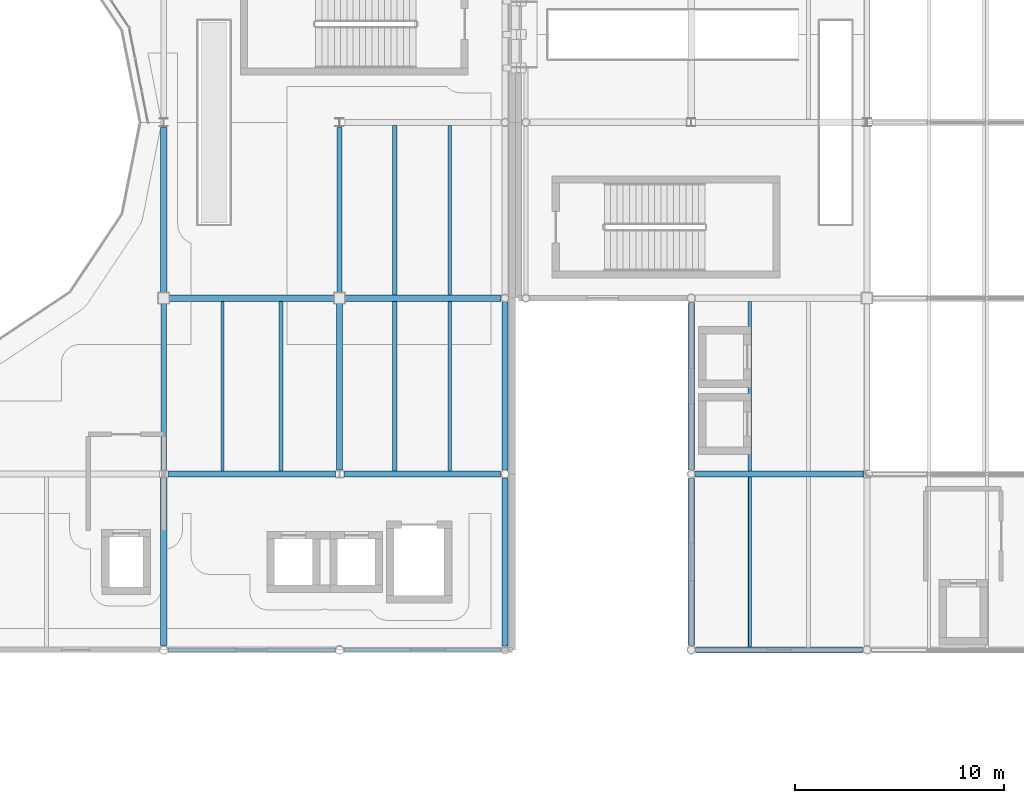
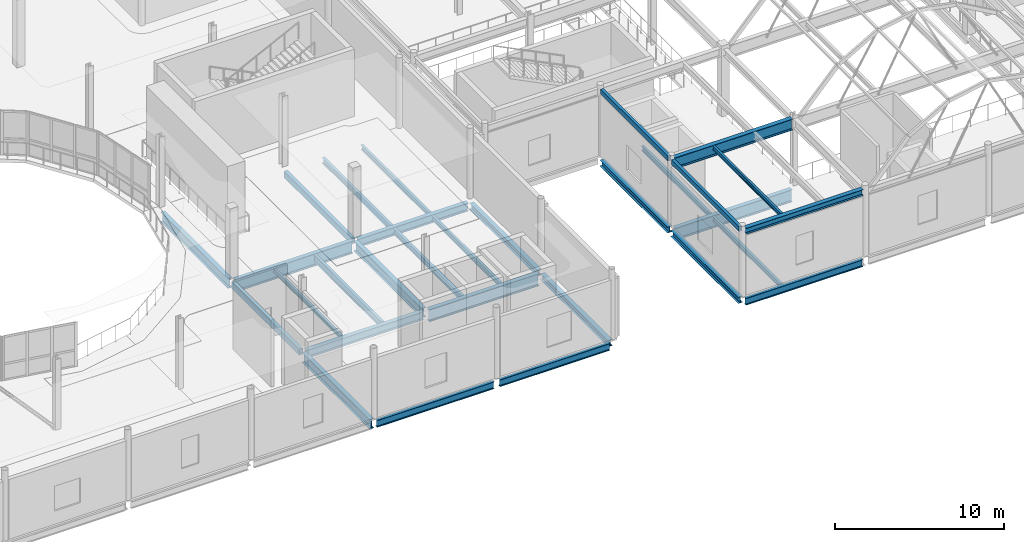
# One storey, part 19 of 103: 30 beams.
"""IFC4 building model written with IfcOpenShell, lengths in metres."""

from ifc_helpers import new_model, si_unit, direction, frame, origin, origin_2d, place, context, subcontext, project, spatial, hollow_rectangle, i_section, extrude, material, material_profile, profile_set, type_object, element, save


model = new_model("IFC4")

# Units and contexts
model_context = context("Model", 3, precision=1e-05, world=origin(), true_north=direction((0.0, 1.0)))
body_context = subcontext(model_context, "Body", "Model", "MODEL_VIEW")
ifc_project = project(units=[si_unit("LENGTHUNIT", "METRE"), si_unit("AREAUNIT", "SQUARE_METRE"), si_unit("VOLUMEUNIT", "CUBIC_METRE"), si_unit("PLANEANGLEUNIT", "RADIAN"), si_unit("MASSUNIT", "GRAM", prefix="KILO"), si_unit("THERMODYNAMICTEMPERATUREUNIT", "KELVIN")], contexts=[model_context])

# Site, building, storey
site_placement = place(None, origin())
site = spatial("IfcSite", under=ifc_project, at=site_placement, CompositionType="ELEMENT")
building_placement = place(site_placement, origin())
building = spatial("IfcBuilding", under=site, at=building_placement, Name="Lustrewick Department Store", CompositionType="ELEMENT")
storey_placement = place(building_placement, frame((0.0, 0.0, 16.5)))
storey = spatial("IfcBuildingStorey", under=building, at=storey_placement, Name="L04", CompositionType="ELEMENT", Elevation=16.5)

# Beams
ifc_material_1 = material(Name="Structural steel Q355B", Category="steel")
ifc_material_profile_1 = material_profile(ifc_material_1, i_section(OverallWidth=0.198974609375, OverallDepth=0.49609375, WebThickness=0.009033203125, FlangeThickness=0.013916015625, FilletRadius=0.01611328125, at=origin_2d()), Name="HN 496x199x9x14")
ifc_profile_set_1 = profile_set([ifc_material_profile_1], Name="Structural steel Q355B")
beam_type_1 = type_object("IfcBeamType", Name="B02", PredefinedType="JOIST", material=ifc_profile_set_1)
beam_1_placement = place(storey_placement, frame((47.60009765625, 50.550048828125, -0.5029296875), z_axis=(0.0, 1.0, 0.0), x_axis=(-1.0, 0.0, 0.0)))
element("IfcBeam", 1, at=beam_1_placement, inside=storey, type_object=beam_type_1, Name="L04 V1 Secondary Joist B02", PredefinedType="JOIST", context=body_context, shape_type="SweptSolid", body=[
    extrude(i_section(OverallWidth=0.198974609375, OverallDepth=0.49609375, WebThickness=0.009033203125, FlangeThickness=0.013916015625, FilletRadius=0.01611328125, at=origin_2d()), origin(), (0.0, 0.0, 1.0), 8.100341796875),
])
ifc_material_profile_2 = material_profile(ifc_material_1, i_section(OverallWidth=0.198974609375, OverallDepth=0.39599609375, WebThickness=0.007080078125, FlangeThickness=0.010986328125, FilletRadius=0.013916015625, at=origin_2d()), Name="HN 396x199x7x11")
ifc_profile_set_2 = profile_set([ifc_material_profile_2], Name="Structural steel Q355B")
beam_type_2 = type_object("IfcBeamType", Name="B06", PredefinedType="JOIST", material=ifc_profile_set_2)
beam_2_placement = place(storey_placement, frame((53.033203125, 50.549560546875, -0.452880859375), z_axis=(0.0, 1.0, 0.0), x_axis=(-1.0, 0.0, 0.0)))
element("IfcBeam", 2, at=beam_2_placement, inside=storey, type_object=beam_type_2, Name="L04 V1 Secondary Joist B06", PredefinedType="JOIST", context=body_context, shape_type="SweptSolid", body=[
    extrude(i_section(OverallWidth=0.198974609375, OverallDepth=0.39599609375, WebThickness=0.007080078125, FlangeThickness=0.010986328125, FilletRadius=0.013916015625, at=origin_2d()), origin(), (0.0, 0.0, 1.0), 8.100341796875),
])
beam_3_placement = place(storey_placement, frame((53.033203125, 58.949951171875, -0.452880859375), z_axis=(0.0, 1.0, 0.0), x_axis=(-1.0, 0.0, 0.0)))
element("IfcBeam", 3, at=beam_3_placement, inside=storey, type_object=beam_type_2, Name="L04 V1 Secondary Joist B06", PredefinedType="JOIST", context=body_context, shape_type="SweptSolid", body=[
    extrude(i_section(OverallWidth=0.198974609375, OverallDepth=0.39599609375, WebThickness=0.007080078125, FlangeThickness=0.010986328125, FilletRadius=0.013916015625, at=origin_2d()), origin(), (0.0, 0.0, 1.0), 8.1005859375),
])
ifc_material_profile_3 = material_profile(ifc_material_1, i_section(OverallWidth=0.174072265625, OverallDepth=0.345947265625, WebThickness=0.006103515625, FlangeThickness=0.009033203125, FilletRadius=0.012939453125, at=origin_2d()), Name="HN 346x174x6x9")
ifc_profile_set_3 = profile_set([ifc_material_profile_3], Name="Structural steel Q355B")
beam_type_3 = type_object("IfcBeamType", Name="B10", PredefinedType="JOIST", material=ifc_profile_set_3)
beam_4_placement = place(storey_placement, frame((55.666748046875, 50.549560546875, -0.427978515625), z_axis=(0.0, 1.0, 0.0), x_axis=(-1.0, 0.0, 0.0)))
element("IfcBeam", 4, at=beam_4_placement, inside=storey, type_object=beam_type_3, Name="L04 V1 Secondary Joist B10", PredefinedType="JOIST", context=body_context, shape_type="SweptSolid", body=[
    extrude(i_section(OverallWidth=0.174072265625, OverallDepth=0.345947265625, WebThickness=0.006103515625, FlangeThickness=0.009033203125, FilletRadius=0.012939453125, at=origin_2d()), origin(), (0.0, 0.0, 1.0), 8.100341796875),
])
beam_5_placement = place(storey_placement, frame((55.666748046875, 58.949951171875, -0.427978515625), z_axis=(0.0, 1.0, 0.0), x_axis=(-1.0, 0.0, 0.0)))
element("IfcBeam", 5, at=beam_5_placement, inside=storey, type_object=beam_type_3, Name="L04 V1 Secondary Joist B10", PredefinedType="JOIST", context=body_context, shape_type="SweptSolid", body=[
    extrude(i_section(OverallWidth=0.174072265625, OverallDepth=0.345947265625, WebThickness=0.006103515625, FlangeThickness=0.009033203125, FilletRadius=0.012939453125, at=origin_2d()), origin(), (0.0, 0.0, 1.0), 8.1005859375),
])
beam_6_placement = place(storey_placement, frame((70.0, 42.1005859375, -0.427978515625), z_axis=(0.0, 1.0, 0.0), x_axis=(-1.0, 0.0, 0.0)))
element("IfcBeam", 6, at=beam_6_placement, inside=storey, type_object=beam_type_3, Name="L04 V2 Secondary Joist B10", PredefinedType="JOIST", context=body_context, shape_type="SweptSolid", body=[
    extrude(i_section(OverallWidth=0.174072265625, OverallDepth=0.345947265625, WebThickness=0.006103515625, FlangeThickness=0.009033203125, FilletRadius=0.012939453125, at=origin_2d()), origin(), (0.0, 0.0, 1.0), 8.14990234375),
])
beam_7_placement = place(storey_placement, frame((70.0, 50.549560546875, -0.427978515625), z_axis=(0.0, 1.0, 0.0), x_axis=(-1.0, 0.0, 0.0)))
element("IfcBeam", 7, at=beam_7_placement, inside=storey, type_object=beam_type_3, Name="L04 V2 Secondary Joist B10", PredefinedType="JOIST", context=body_context, shape_type="SweptSolid", body=[
    extrude(i_section(OverallWidth=0.174072265625, OverallDepth=0.345947265625, WebThickness=0.006103515625, FlangeThickness=0.009033203125, FilletRadius=0.012939453125, at=origin_2d()), origin(), (0.0, 0.0, 1.0), 8.100341796875),
])
ifc_material_profile_4 = material_profile(ifc_material_1, i_section(OverallWidth=0.14990234375, OverallDepth=0.300048828125, WebThickness=0.006591796875, FlangeThickness=0.009033203125, FilletRadius=0.011962890625, at=origin_2d()), Name="HN 300x150x6.5x9")
ifc_profile_set_4 = profile_set([ifc_material_profile_4], Name="Structural steel Q355B")
beam_type_4 = type_object("IfcBeamType", Name="B11", PredefinedType="JOIST", material=ifc_profile_set_4)
beam_8_placement = place(storey_placement, frame((44.800048828125, 50.550048828125, -0.405029296875), z_axis=(0.0, 1.0, 0.0), x_axis=(-1.0, 0.0, 0.0)))
element("IfcBeam", 8, at=beam_8_placement, inside=storey, type_object=beam_type_4, Name="L04 V1 Secondary Joist B11", PredefinedType="JOIST", context=body_context, shape_type="SweptSolid", body=[
    extrude(i_section(OverallWidth=0.14990234375, OverallDepth=0.300048828125, WebThickness=0.006591796875, FlangeThickness=0.009033203125, FilletRadius=0.011962890625, at=origin_2d()), origin(), (0.0, 0.0, 1.0), 8.100341796875),
])
beam_9_placement = place(storey_placement, frame((70.0, 42.14990234375, 4.695068359375), z_axis=(0.0, 1.0, 0.0), x_axis=(-1.0, 0.0, 0.0)))
element("IfcBeam", 9, at=beam_9_placement, inside=storey, type_object=beam_type_4, Name="L04 V2 Secondary Joist B11", PredefinedType="JOIST", context=body_context, shape_type="SweptSolid", body=[
    extrude(i_section(OverallWidth=0.14990234375, OverallDepth=0.300048828125, WebThickness=0.006591796875, FlangeThickness=0.009033203125, FilletRadius=0.011962890625, at=origin_2d()), origin(), (0.0, 0.0, 1.0), 8.09912109375),
])
ifc_material_2 = material(Name="Structural steel Q355C", Category="steel")
ifc_material_profile_5 = material_profile(ifc_material_2, i_section(OverallWidth=0.299072265625, OverallDepth=0.889892578125, WebThickness=0.014892578125, FlangeThickness=0.02294921875, FilletRadius=0.02392578125, at=origin_2d()), Name="HN 890x299x15x23")
ifc_profile_set_5 = profile_set([ifc_material_profile_5], Name="Structural steel Q355C")
beam_type_5 = type_object("IfcBeamType", Name="G03", PredefinedType="BEAM", material=ifc_profile_set_5)
beam_10_placement = place(storey_placement, frame((50.60107421875, 50.39990234375, -0.699951171875), z_axis=(1.0, 0.0, 0.0), x_axis=(0.0, 1.0, 0.0)))
element("IfcBeam", 10, at=beam_10_placement, inside=storey, type_object=beam_type_5, Name="L04 V1 Girder G03", PredefinedType="BEAM", context=body_context, shape_type="SweptSolid", body=[
    extrude(i_section(OverallWidth=0.299072265625, OverallDepth=0.889892578125, WebThickness=0.014892578125, FlangeThickness=0.02294921875, FilletRadius=0.02392578125, at=origin_2d()), origin(), (0.0, 0.0, 1.0), 7.495849609375),
])
beam_11_placement = place(storey_placement, frame((42.175048828125, 58.800048828125, -0.699951171875), z_axis=(1.0, 0.0, 0.0), x_axis=(0.0, 1.0, 0.0)))
element("IfcBeam", 11, at=beam_11_placement, inside=storey, type_object=beam_type_5, Name="L04 V1 Girder G03", PredefinedType="BEAM", context=body_context, shape_type="SweptSolid", body=[
    extrude(i_section(OverallWidth=0.299072265625, OverallDepth=0.889892578125, WebThickness=0.014892578125, FlangeThickness=0.02294921875, FilletRadius=0.02392578125, at=origin_2d()), origin(), (0.0, 0.0, 1.0), 8.050048828125),
])
beam_12_placement = place(storey_placement, frame((67.388427734375, 50.39990234375, -0.699951171875), z_axis=(1.0, 0.0, 0.0), x_axis=(0.0, 1.0, 0.0)))
element("IfcBeam", 12, at=beam_12_placement, inside=storey, type_object=beam_type_5, Name="L04 V2 Girder G03", PredefinedType="BEAM", context=body_context, shape_type="SweptSolid", body=[
    extrude(i_section(OverallWidth=0.299072265625, OverallDepth=0.889892578125, WebThickness=0.014892578125, FlangeThickness=0.02294921875, FilletRadius=0.02392578125, at=origin_2d()), origin(), (0.0, 0.0, 1.0), 8.010498046875),
])
ifc_material_profile_6 = material_profile(ifc_material_2, i_section(OverallWidth=0.302001953125, OverallDepth=0.80810546875, WebThickness=0.01611328125, FlangeThickness=0.030029296875, FilletRadius=0.02197265625, at=origin_2d()), Name="HN 808x302x16x30")
ifc_profile_set_6 = profile_set([ifc_material_profile_6], Name="Structural steel Q355C")
beam_type_6 = type_object("IfcBeamType", Name="G04", PredefinedType="BEAM", material=ifc_profile_set_6)
beam_13_placement = place(storey_placement, frame((67.388427734375, 50.39990234375, 4.44091796875), z_axis=(1.0, 0.0, 0.0), x_axis=(0.0, 1.0, 0.0)))
element("IfcBeam", 13, at=beam_13_placement, inside=storey, type_object=beam_type_6, Name="L04 V2 Girder G04", PredefinedType="BEAM", context=body_context, shape_type="SweptSolid", body=[
    extrude(i_section(OverallWidth=0.302001953125, OverallDepth=0.80810546875, WebThickness=0.01611328125, FlangeThickness=0.030029296875, FilletRadius=0.02197265625, at=origin_2d()), origin(), (0.0, 0.0, 1.0), 8.03662109375),
])
ifc_material_profile_7 = material_profile(ifc_material_1, i_section(OverallWidth=0.300048828125, OverallDepth=0.699951171875, WebThickness=0.012939453125, FlangeThickness=0.02392578125, FilletRadius=0.02001953125, at=origin_2d()), Name="HN 700x300x13x24")
ifc_profile_set_7 = profile_set([ifc_material_profile_7], Name="Structural steel Q355B")
beam_type_7 = type_object("IfcBeamType", Name="G08", PredefinedType="BEAM", material=ifc_profile_set_7)
beam_14_placement = place(storey_placement, frame((42.0, 42.202880859375, -0.60498046875), z_axis=(0.0, 1.0, 0.0), x_axis=(-1.0, 0.0, 0.0)))
element("IfcBeam", 14, at=beam_14_placement, inside=storey, type_object=beam_type_7, Name="L04 V1 Girder G08", PredefinedType="BEAM", context=body_context, shape_type="SweptSolid", body=[
    extrude(i_section(OverallWidth=0.300048828125, OverallDepth=0.699951171875, WebThickness=0.012939453125, FlangeThickness=0.02392578125, FilletRadius=0.02001953125, at=origin_2d()), origin(), (0.0, 0.0, 1.0), 8.003173828125),
])
beam_15_placement = place(storey_placement, frame((42.0, 58.97509765625, -0.60498046875), z_axis=(0.0, 1.0, 0.0), x_axis=(-1.0, 0.0, 0.0)))
element("IfcBeam", 15, at=beam_15_placement, inside=storey, type_object=beam_type_7, Name="L04 V1 Girder G08", PredefinedType="BEAM", context=body_context, shape_type="SweptSolid", body=[
    extrude(i_section(OverallWidth=0.300048828125, OverallDepth=0.699951171875, WebThickness=0.012939453125, FlangeThickness=0.02392578125, FilletRadius=0.02001953125, at=origin_2d()), origin(), (0.0, 0.0, 1.0), 7.974853515625),
])
beam_16_placement = place(storey_placement, frame((50.39990234375, 50.593994140625, -0.60498046875), z_axis=(0.0, 1.0, 0.0), x_axis=(-1.0, 0.0, 0.0)))
element("IfcBeam", 16, at=beam_16_placement, inside=storey, type_object=beam_type_7, Name="L04 V1 Girder G08", PredefinedType="BEAM", context=body_context, shape_type="SweptSolid", body=[
    extrude(i_section(OverallWidth=0.300048828125, OverallDepth=0.699951171875, WebThickness=0.012939453125, FlangeThickness=0.02392578125, FilletRadius=0.02001953125, at=origin_2d()), origin(), (0.0, 0.0, 1.0), 8.031005859375),
])
ifc_material_profile_8 = material_profile(ifc_material_1, i_section(OverallWidth=0.300048828125, OverallDepth=0.587890625, WebThickness=0.011962890625, FlangeThickness=0.02001953125, FilletRadius=0.02392578125, at=origin_2d()), Name="HM 588x300x12x20")
ifc_profile_set_8 = profile_set([ifc_material_profile_8], Name="Structural steel Q355B")
beam_type_8 = type_object("IfcBeamType", Name="G11", PredefinedType="BEAM", material=ifc_profile_set_8)
beam_17_placement = place(storey_placement, frame((42.200927734375, 50.39990234375, -0.549072265625), z_axis=(1.0, 0.0, 0.0), x_axis=(0.0, 1.0, 0.0)))
element("IfcBeam", 17, at=beam_17_placement, inside=storey, type_object=beam_type_8, Name="L04 V1 Girder G11", PredefinedType="BEAM", context=body_context, shape_type="SweptSolid", body=[
    extrude(i_section(OverallWidth=0.300048828125, OverallDepth=0.587890625, WebThickness=0.011962890625, FlangeThickness=0.02001953125, FilletRadius=0.02392578125, at=origin_2d()), origin(), (0.0, 0.0, 1.0), 7.998046875),
])
beam_18_placement = place(storey_placement, frame((50.574951171875, 58.800048828125, -0.549072265625), z_axis=(1.0, 0.0, 0.0), x_axis=(0.0, 1.0, 0.0)))
element("IfcBeam", 18, at=beam_18_placement, inside=storey, type_object=beam_type_8, Name="L04 V1 Girder G11", PredefinedType="BEAM", context=body_context, shape_type="SweptSolid", body=[
    extrude(i_section(OverallWidth=0.300048828125, OverallDepth=0.587890625, WebThickness=0.011962890625, FlangeThickness=0.02001953125, FilletRadius=0.02392578125, at=origin_2d()), origin(), (0.0, 0.0, 1.0), 7.53662109375),
])
ifc_material_profile_9 = material_profile(ifc_material_2, hollow_rectangle(XDim=0.25, YDim=0.449951171875, WallThickness=0.013916015625, at=origin_2d()), Name="RHS 450x250x14")
ifc_profile_set_9 = profile_set([ifc_material_profile_9], Name="Structural steel Q355C")
beam_type_9 = type_object("IfcBeamType", Name="G18", PredefinedType="BEAM", material=ifc_profile_set_9)
beam_19_placement = place(storey_placement, frame((42.0, 50.593994140625, -0.47998046875), z_axis=(0.0, 1.0, 0.0), x_axis=(-1.0, 0.0, 0.0)))
element("IfcBeam", 19, at=beam_19_placement, inside=storey, type_object=beam_type_9, Name="L04 V1 Girder G18", PredefinedType="BEAM", context=body_context, shape_type="SweptSolid", body=[
    extrude(hollow_rectangle(XDim=0.25, YDim=0.449951171875, WallThickness=0.013916015625, at=origin_2d()), origin(), (0.0, 0.0, 1.0), 8.031005859375),
])
beam_20_placement = place(storey_placement, frame((50.39990234375, 58.97509765625, -0.47998046875), z_axis=(0.0, 1.0, 0.0), x_axis=(-1.0, 0.0, 0.0)))
element("IfcBeam", 20, at=beam_20_placement, inside=storey, type_object=beam_type_9, Name="L04 V1 Girder G18", PredefinedType="BEAM", context=body_context, shape_type="SweptSolid", body=[
    extrude(hollow_rectangle(XDim=0.25, YDim=0.449951171875, WallThickness=0.013916015625, at=origin_2d()), origin(), (0.0, 0.0, 1.0), 7.974853515625),
])
ifc_material_profile_10 = material_profile(ifc_material_1, i_section(OverallWidth=0.200927734375, OverallDepth=0.506103515625, WebThickness=0.010986328125, FlangeThickness=0.01904296875, FilletRadius=0.01611328125, at=origin_2d()), Name="HN 506x201x11x19")
ifc_profile_set_10 = profile_set([ifc_material_profile_10], Name="Structural steel Q355B")
beam_type_10 = type_object("IfcBeamType", Name="SP01", PredefinedType="SPANDREL", material=ifc_profile_set_10)
beam_21_placement = place(storey_placement, frame((42.202880859375, 42.0, -0.508056640625), z_axis=(1.0, 0.0, 0.0), x_axis=(0.0, 1.0, 0.0)))
element("IfcBeam", 21, at=beam_21_placement, inside=storey, type_object=beam_type_10, Name="L04 V1 Girder SP01", PredefinedType="SPANDREL", context=body_context, shape_type="SweptSolid", body=[
    extrude(i_section(OverallWidth=0.200927734375, OverallDepth=0.506103515625, WebThickness=0.010986328125, FlangeThickness=0.01904296875, FilletRadius=0.01611328125, at=origin_2d()), origin(), (0.0, 0.0, 1.0), 7.994140625),
])
beam_22_placement = place(storey_placement, frame((50.60302734375, 42.0, -0.508056640625), z_axis=(1.0, 0.0, 0.0), x_axis=(0.0, 1.0, 0.0)))
element("IfcBeam", 22, at=beam_22_placement, inside=storey, type_object=beam_type_10, Name="L04 V1 Girder SP01", PredefinedType="SPANDREL", context=body_context, shape_type="SweptSolid", body=[
    extrude(i_section(OverallWidth=0.200927734375, OverallDepth=0.506103515625, WebThickness=0.010986328125, FlangeThickness=0.01904296875, FilletRadius=0.01611328125, at=origin_2d()), origin(), (0.0, 0.0, 1.0), 7.508544921875),
])
beam_23_placement = place(storey_placement, frame((67.403076171875, 42.0, -0.508056640625), z_axis=(1.0, 0.0, 0.0), x_axis=(0.0, 1.0, 0.0)))
element("IfcBeam", 23, at=beam_23_placement, inside=storey, type_object=beam_type_10, Name="L04 V2 Girder SP01", PredefinedType="SPANDREL", context=body_context, shape_type="SweptSolid", body=[
    extrude(i_section(OverallWidth=0.200927734375, OverallDepth=0.506103515625, WebThickness=0.010986328125, FlangeThickness=0.01904296875, FilletRadius=0.01611328125, at=origin_2d()), origin(), (0.0, 0.0, 1.0), 7.993896484375),
])
ifc_material_profile_11 = material_profile(ifc_material_1, i_section(OverallWidth=0.300048828125, OverallDepth=0.43994140625, WebThickness=0.010986328125, FlangeThickness=0.01806640625, FilletRadius=0.02001953125, at=origin_2d()), Name="HM 440x300x11x18")
ifc_profile_set_11 = profile_set([ifc_material_profile_11], Name="Structural steel Q355B")
beam_type_11 = type_object("IfcBeamType", Name="SP02", PredefinedType="SPANDREL", material=ifc_profile_set_11)
for number, where, z_axis, x_axis, name in (
    (24, (58.300048828125, 42.1884765625, -0.47509765625), (0.0, 1.0, 0.0), (-1.0, 0.0, 0.0), "L04 V1 Girder SP02"),
    (25, (58.300048828125, 50.60302734375, -0.47509765625), (0.0, 1.0, 0.0), (-1.0, 0.0, 0.0), "L04 V1 Girder SP02"),
    (26, (67.199951171875, 42.202880859375, -0.47509765625), (0.0, 1.0, 0.0), (-1.0, 0.0, 0.0), "L04 V2 Girder SP02"),
    (27, (67.199951171875, 50.58837890625, -0.47509765625), (0.0, 1.0, 0.0), (-1.0, 0.0, 0.0), "L04 V2 Girder SP02"),
):
    element("IfcBeam", number, at=place(storey_placement, frame(where, z_axis=z_axis, x_axis=x_axis)), inside=storey, type_object=beam_type_11, Name=name, PredefinedType="SPANDREL", context=body_context, shape_type="SweptSolid", body=[
        extrude(i_section(OverallWidth=0.300048828125, OverallDepth=0.43994140625, WebThickness=0.010986328125, FlangeThickness=0.01806640625, FilletRadius=0.02001953125, at=origin_2d()), origin(), (0.0, 0.0, 1.0), 8.008544921875),
    ])
beam_24_placement = place(storey_placement, frame((67.403076171875, 42.0, 4.625), z_axis=(1.0, 0.0, 0.0), x_axis=(0.0, 1.0, 0.0)))
element("IfcBeam", 28, at=beam_24_placement, inside=storey, type_object=beam_type_11, Name="L04 V2 Girder SP02", PredefinedType="SPANDREL", context=body_context, shape_type="SweptSolid", body=[
    extrude(i_section(OverallWidth=0.300048828125, OverallDepth=0.43994140625, WebThickness=0.010986328125, FlangeThickness=0.01806640625, FilletRadius=0.02001953125, at=origin_2d()), origin(), (0.0, 0.0, 1.0), 7.993896484375),
])
ifc_material_profile_12 = material_profile(ifc_material_2, hollow_rectangle(XDim=0.199951171875, YDim=0.35009765625, WallThickness=0.011962890625, at=origin_2d()), Name="RHS 350x200x12")
ifc_profile_set_12 = profile_set([ifc_material_profile_12], Name="Structural steel Q355C")
beam_type_12 = type_object("IfcBeamType", Name="SP03", PredefinedType="SPANDREL", material=ifc_profile_set_12)
for number, where, z_axis, x_axis, name in (
    (29, (67.199951171875, 42.202880859375, 4.669921875), (0.0, 1.0, 0.0), (-1.0, 0.0, 0.0), "L04 V2 Girder SP03"),
    (30, (67.199951171875, 50.58837890625, 4.669921875), (0.0, 1.0, 0.0), (-1.0, 0.0, 0.0), "L04 V2 Girder SP03"),
):
    element("IfcBeam", number, at=place(storey_placement, frame(where, z_axis=z_axis, x_axis=x_axis)), inside=storey, type_object=beam_type_12, Name=name, PredefinedType="SPANDREL", context=body_context, shape_type="SweptSolid", body=[
        extrude(hollow_rectangle(XDim=0.199951171875, YDim=0.35009765625, WallThickness=0.011962890625, at=origin_2d()), origin(), (0.0, 0.0, 1.0), 8.008544921875),
    ])

save(model, "model.ifc")
